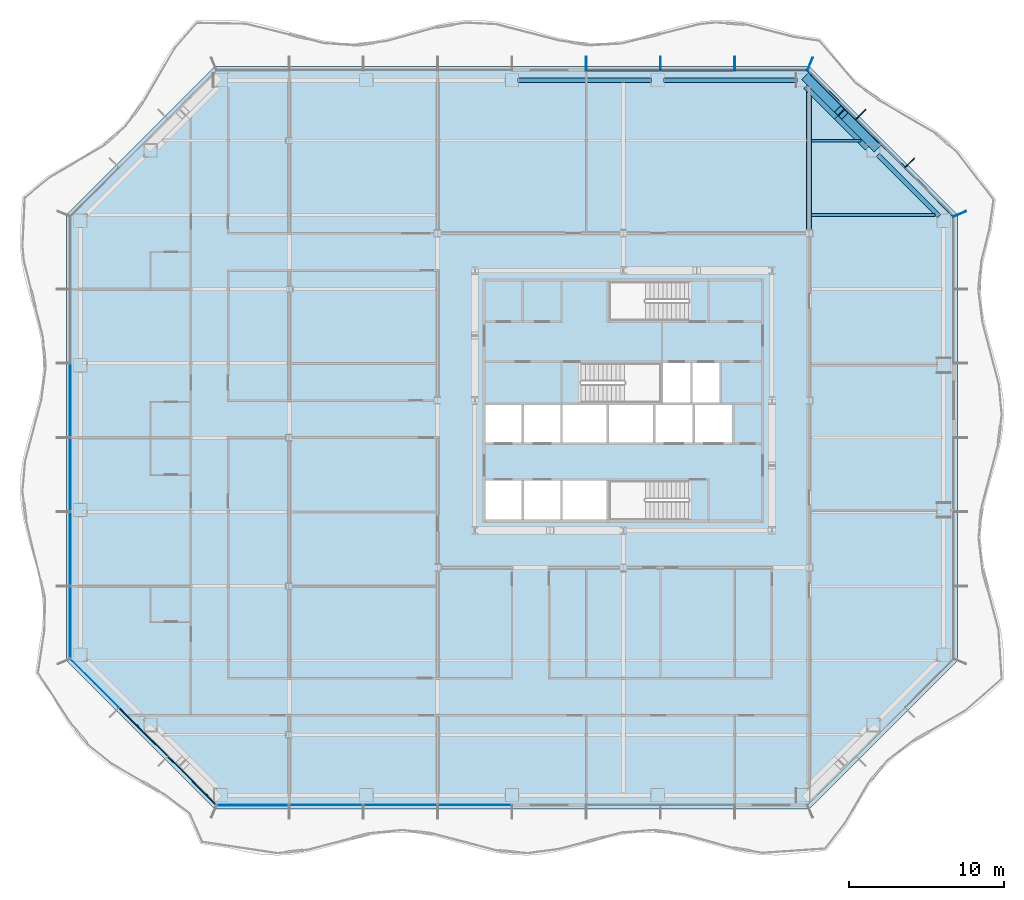
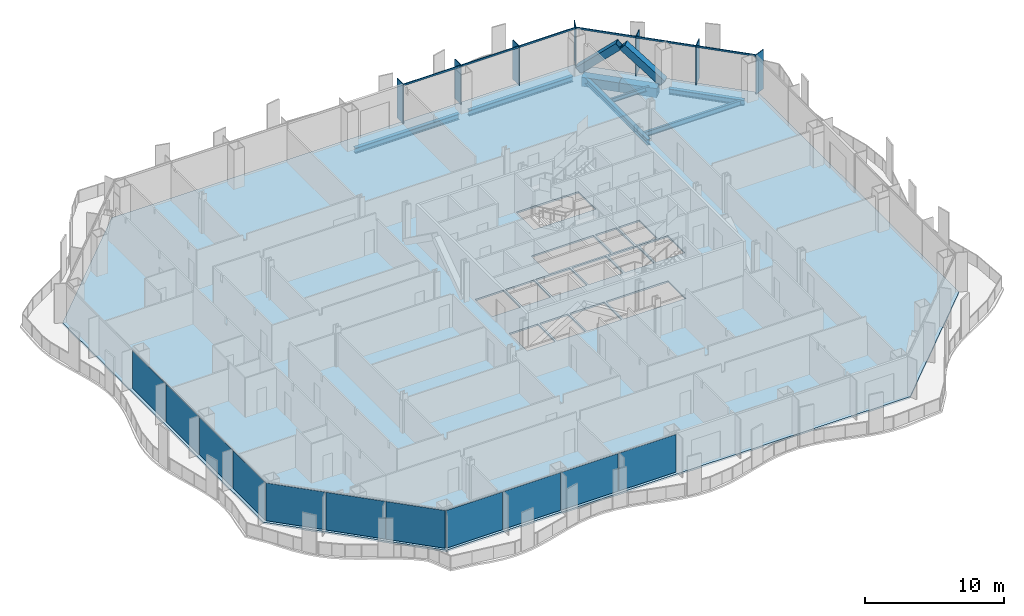
# One storey, part 4 of 18: 15 members, 11 plates, 8 beams, 1 slab, 5 elements without a shape of their own.
"""IFC4 building model written with IfcOpenShell, lengths in metres."""

from ifc_helpers import new_model, si_unit, direction, frame, origin, origin_2d, place, context, subcontext, project, spatial, polyline, rectangle, hollow_rectangle, i_section, outline, extrude, material, layer, layer_set, material_profile, profile_set, type_object, element, aggregate, save


model = new_model("IFC4")

# Units and contexts
model_context = context("Model", 3, precision=1e-05, world=origin(), true_north=direction((0.0, 1.0)))
body_context = subcontext(model_context, "Body", "Model", "MODEL_VIEW")
ifc_project = project(units=[si_unit("LENGTHUNIT", "METRE"), si_unit("AREAUNIT", "SQUARE_METRE"), si_unit("VOLUMEUNIT", "CUBIC_METRE"), si_unit("PLANEANGLEUNIT", "RADIAN"), si_unit("MASSUNIT", "GRAM", prefix="KILO")], contexts=[model_context])

# Site, building, storey
site_placement = place(None, origin())
site = spatial("IfcSite", under=ifc_project, at=site_placement, CompositionType="ELEMENT")
building_placement = place(site_placement, origin())
building = spatial("IfcBuilding", under=site, at=building_placement, Name="Cairn Pilgrim Tower", CompositionType="ELEMENT")
storey_placement = place(building_placement, frame((0.0, 0.0, 72.60009765625)))
storey = spatial("IfcBuildingStorey", under=building, at=storey_placement, Name="L16", CompositionType="ELEMENT", Elevation=72.60009765625)

# Members
ifc_material_1 = material(Name="Structural steel S460M", Category="steel")
ifc_material_profile_1 = material_profile(ifc_material_1, hollow_rectangle(XDim=0.60009765625, YDim=0.60009765625, WallThickness=0.034912109375, at=origin_2d()), Name="BOX 600x600x35")
ifc_profile_set_1 = profile_set([ifc_material_profile_1], Name="Structural steel S460M")
member_type_1 = type_object("IfcMemberType", Name="BOX 600x600x35 BRACE", PredefinedType="BRACE", material=ifc_profile_set_1)
for number, where, z_axis, x_axis, name in (
    (1, (23.4873046875, 18.814697265625, 0.14990234375), (-0.528939327604, 0.528877844478, 0.663710338426), (-0.70706568108, -0.707147878904, 0.0), "XB-NE2-N1-1"),
    (2, (19.078125, 23.2236328125, 0.14990234375), (0.52892212789, -0.52892212789, 0.663688756314), (0.707106781187, 0.707106781187, 0.0), "XB-NE2-N1-2"),
):
    element("IfcMember", number, at=place(storey_placement, frame(where, z_axis=z_axis, x_axis=x_axis)), inside=storey, type_object=member_type_1, Name=name, PredefinedType="BRACE", context=body_context, shape_type="SweptSolid", body=[
        extrude(hollow_rectangle(XDim=0.60009765625, YDim=0.60009765625, WallThickness=0.034912109375, at=origin_2d()), origin(), (0.0, 0.0, 1.0), 3.970947265625),
    ])

# Beams
ifc_material_2 = material(Name="Structural steel S355J2", Category="steel")
ifc_material_profile_2 = material_profile(ifc_material_2, hollow_rectangle(XDim=0.699951171875, YDim=0.800048828125, WallThickness=0.0400390625, at=origin_2d()), Name="BOX 700x800x40")
ifc_profile_set_2 = profile_set([ifc_material_profile_2], Name="Structural steel S355J2")
beam_type_1 = type_object("IfcBeamType", Name="BOX 700x800x40 RING GIRDER", PredefinedType="SPANDREL", material=ifc_profile_set_2)
beam_1_placement = place(storey_placement, frame((23.0771484375, 18.85009765625, -0.550048828125), z_axis=(-0.707106781187, 0.707106781187, 0.0), x_axis=(-0.707106781187, -0.707106781187, 0.0)))
element("IfcBeam", 3, at=beam_1_placement, inside=storey, type_object=beam_type_1, Name="RG1-NE2-N1-1", PredefinedType="SPANDREL", context=body_context, shape_type="SweptSolid", body=[
    extrude(hollow_rectangle(XDim=0.699951171875, YDim=0.800048828125, WallThickness=0.0400390625, at=origin_2d()), origin(), (0.0, 0.0, 1.0), 2.802490234375),
])
beam_2_placement = place(storey_placement, frame((21.095458984375, 20.831787109375, -0.550048828125), z_axis=(-0.707106781187, 0.707106781187, 0.0), x_axis=(-0.707106781187, -0.707106781187, 0.0)))
element("IfcBeam", 4, at=beam_2_placement, inside=storey, type_object=beam_type_1, Name="RG1-NE2-N1-2", PredefinedType="SPANDREL", context=body_context, shape_type="SweptSolid", body=[
    extrude(hollow_rectangle(XDim=0.699951171875, YDim=0.800048828125, WallThickness=0.0400390625, at=origin_2d()), origin(), (0.0, 0.0, 1.0), 2.802978515625),
])

# Curtain wall, members
ifc_material_3 = material(Name="Aluminium alloy 6063-T6 bronze anodised with Bronze tinted laminated low-E glass 8+16+8.8", Category="aluminium")
curtain_wall_type_1 = type_object("IfcCurtainWallType", Name="CHAMFER CORNER CURTAIN WALL", PredefinedType="NOTDEFINED", material=ifc_material_3)
curtain_wall_1_placement = place(storey_placement, origin())
curtain_wall_1 = element("IfcCurtainWall", 5, at=curtain_wall_1_placement, inside=storey, type_object=curtain_wall_type_1, Name="Chamfer Corner Curtain Wall NE", PredefinedType="NOTDEFINED")
ifc_material_4 = material(Name="Aluminium alloy 6063-T6 bronze anodised", Category="aluminium")
ifc_material_profile_3 = material_profile(ifc_material_4, rectangle(XDim=0.89990234375, YDim=0.06005859375, at=origin_2d()), Name="FIN MULLION 60x900 BRONZE")
ifc_profile_set_3 = profile_set([ifc_material_profile_3], Name="Aluminium alloy 6063-T6 bronze anodised")
member_type_2 = type_object("IfcMemberType", Name="FIN MULLION 60x900 BRONZE", PredefinedType="MULLION", material=ifc_profile_set_3)
member_1_placement = place(storey_placement, frame((28.93798828125, 14.457275390625, 0.0), z_axis=(0.0, 0.0, 1.0), x_axis=(0.923879532511, 0.382683432365, 0.0)))
member_1 = element("IfcMember", 6, at=member_1_placement, type_object=member_type_2, Name="Fin mullion NE1", PredefinedType="MULLION", context=body_context, shape_type="SweptSolid", body=[
    extrude(rectangle(XDim=0.89990234375, YDim=0.06005859375, at=origin_2d()), origin(), (0.0, 0.0, 1.0), 3.449951171875),
])
member_2_placement = place(storey_placement, frame((25.69580078125, 17.74462890625, 0.0), z_axis=(0.0, 0.0, 1.0), x_axis=(0.707106781187, 0.707106781187, 0.0)))
member_2 = element("IfcMember", 7, at=member_2_placement, type_object=member_type_2, Name="Fin mullion NE2", PredefinedType="MULLION", context=body_context, shape_type="SweptSolid", body=[
    extrude(rectangle(XDim=0.89990234375, YDim=0.06005859375, at=origin_2d()), origin(), (0.0, 0.0, 1.0), 3.449951171875),
])
member_3_placement = place(storey_placement, frame((22.544677734375, 20.895751953125, 0.0), z_axis=(0.0, 0.0, 1.0), x_axis=(0.707106781187, 0.707106781187, 0.0)))
member_3 = element("IfcMember", 8, at=member_3_placement, type_object=member_type_2, Name="Fin mullion NE3", PredefinedType="MULLION", context=body_context, shape_type="SweptSolid", body=[
    extrude(rectangle(XDim=0.89990234375, YDim=0.06005859375, at=origin_2d()), origin(), (0.0, 0.0, 1.0), 3.449951171875),
])

curtain_wall_type_2 = type_object("IfcCurtainWallType", Name="TOWER STICK CURTAIN WALL NS", PredefinedType="NOTDEFINED", material=ifc_material_3)
curtain_wall_2_placement = place(storey_placement, origin())
curtain_wall_2 = element("IfcCurtainWall", 9, at=curtain_wall_2_placement, inside=storey, type_object=curtain_wall_type_2, Name="Tower Stick Curtain Wall Ns N", PredefinedType="NOTDEFINED")
member_4_placement = place(storey_placement, frame((19.257080078125, 24.137939453125, 0.0), z_axis=(0.0, 0.0, 1.0), x_axis=(0.382683432365, 0.923879532511, 0.0)))
member_4 = element("IfcMember", 10, at=member_4_placement, type_object=member_type_2, Name="Fin mullion N1", PredefinedType="MULLION", context=body_context, shape_type="SweptSolid", body=[
    extrude(rectangle(XDim=0.89990234375, YDim=0.06005859375, at=origin_2d()), origin(), (0.0, 0.0, 1.0), 3.449951171875),
])
member_5_placement = place(storey_placement, frame((14.39990234375, 24.169921875, 0.0), z_axis=(0.0, 0.0, 1.0), x_axis=(0.0, 1.0, 0.0)))
member_5 = element("IfcMember", 11, at=member_5_placement, type_object=member_type_2, Name="Fin mullion N2", PredefinedType="MULLION", context=body_context, shape_type="SweptSolid", body=[
    extrude(rectangle(XDim=0.89990234375, YDim=0.06005859375, at=origin_2d()), origin(), (0.0, 0.0, 1.0), 3.449951171875),
])
member_6_placement = place(storey_placement, frame((9.60009765625, 24.169921875, 0.0), z_axis=(0.0, 0.0, 1.0), x_axis=(0.0, 1.0, 0.0)))
member_6 = element("IfcMember", 12, at=member_6_placement, type_object=member_type_2, Name="Fin mullion N3", PredefinedType="MULLION", context=body_context, shape_type="SweptSolid", body=[
    extrude(rectangle(XDim=0.89990234375, YDim=0.06005859375, at=origin_2d()), origin(), (0.0, 0.0, 1.0), 3.449951171875),
])
member_7_placement = place(storey_placement, frame((4.800048828125, 24.169921875, 0.0), z_axis=(0.0, 0.0, 1.0), x_axis=(0.0, 1.0, 0.0)))
member_7 = element("IfcMember", 13, at=member_7_placement, type_object=member_type_2, Name="Fin mullion N4", PredefinedType="MULLION", context=body_context, shape_type="SweptSolid", body=[
    extrude(rectangle(XDim=0.89990234375, YDim=0.06005859375, at=origin_2d()), origin(), (0.0, 0.0, 1.0), 3.449951171875),
])

# Beams
ifc_material_profile_4 = material_profile(ifc_material_2, i_section(OverallWidth=0.300048828125, OverallDepth=0.5, WebThickness=0.014404296875, FlangeThickness=0.028076171875, FilletRadius=0.027099609375, at=origin_2d()), Name="HEB 500")
ifc_profile_set_4 = profile_set([ifc_material_profile_4], Name="Structural steel S355J2")
beam_type_2 = type_object("IfcBeamType", Name="HEB 500 GIRDER", PredefinedType="BEAM", material=ifc_profile_set_4)
beam_3_placement = place(storey_placement, frame((19.199951171875, 13.412109375, -0.400146484375), z_axis=(0.0, 1.0, 0.0), x_axis=(-1.0, 0.0, 0.0)))
element("IfcBeam", 14, at=beam_3_placement, inside=storey, type_object=beam_type_2, Name="PG4-4", PredefinedType="BEAM", context=body_context, shape_type="SweptSolid", body=[
    extrude(i_section(OverallWidth=0.300048828125, OverallDepth=0.5, WebThickness=0.014404296875, FlangeThickness=0.028076171875, FilletRadius=0.027099609375, at=origin_2d()), origin(), (0.0, 0.0, 1.0), 9.133056640625),
])
ifc_material_profile_5 = material_profile(ifc_material_2, i_section(OverallWidth=0.300048828125, OverallDepth=0.5, WebThickness=0.014404296875, FlangeThickness=0.028076171875, FilletRadius=0.027099609375, at=origin_2d()), Name="HEB 500")
ifc_profile_set_5 = profile_set([ifc_material_profile_5], Name="Structural steel S355J2")
beam_type_3 = type_object("IfcBeamType", Name="HEB 500 RING GIRDER", PredefinedType="SPANDREL", material=ifc_profile_set_5)
beam_4_placement = place(storey_placement, frame((27.613525390625, 14.313720703125, -0.400146484375), z_axis=(-0.707128558756, 0.707085002947, 0.0), x_axis=(-0.707085002947, -0.707128558756, 0.0)))
element("IfcBeam", 15, at=beam_4_placement, inside=storey, type_object=beam_type_3, Name="RG1-NE1-NE2", PredefinedType="SPANDREL", context=body_context, shape_type="SweptSolid", body=[
    extrude(i_section(OverallWidth=0.300048828125, OverallDepth=0.5, WebThickness=0.014404296875, FlangeThickness=0.028076171875, FilletRadius=0.027099609375, at=origin_2d()), origin(), (0.0, 0.0, 1.0), 5.605224609375),
])
for number, where, z_axis, x_axis, name in (
    (16, (18.422119140625, 23.10009765625, -0.400146484375), (-1.0, 0.0, 0.0), (0.0, -1.0, 0.0), "RG1-N1-N2"),
    (17, (9.008544921875, 23.10009765625, -0.400146484375), (-1.0, 0.0, 0.0), (0.0, -1.0, 0.0), "RG1-N2-N3"),
):
    element("IfcBeam", number, at=place(storey_placement, frame(where, z_axis=z_axis, x_axis=x_axis)), inside=storey, type_object=beam_type_3, Name=name, PredefinedType="SPANDREL", context=body_context, shape_type="SweptSolid", body=[
        extrude(i_section(OverallWidth=0.300048828125, OverallDepth=0.5, WebThickness=0.014404296875, FlangeThickness=0.028076171875, FilletRadius=0.027099609375, at=origin_2d()), origin(), (0.0, 0.0, 1.0), 8.603515625),
    ])
ifc_material_profile_6 = material_profile(ifc_material_2, i_section(OverallWidth=0.169921875, OverallDepth=0.360107421875, WebThickness=0.008056640625, FlangeThickness=0.0126953125, FilletRadius=0.01806640625, at=origin_2d()), Name="IPE 360")
ifc_profile_set_6 = profile_set([ifc_material_profile_6], Name="Structural steel S355J2")
beam_type_4 = type_object("IfcBeamType", Name="IPE 360 SECONDARY BEAM", PredefinedType="JOIST", material=ifc_profile_set_6)
beam_5_placement = place(storey_placement, frame((19.35009765625, 19.199951171875, -0.330078125), z_axis=(1.0, 0.0, 0.0), x_axis=(0.0, 1.0, 0.0)))
element("IfcBeam", 18, at=beam_5_placement, inside=storey, type_object=beam_type_4, Name="SB9-5", PredefinedType="JOIST", context=body_context, shape_type="SweptSolid", body=[
    extrude(i_section(OverallWidth=0.169921875, OverallDepth=0.360107421875, WebThickness=0.008056640625, FlangeThickness=0.0126953125, FilletRadius=0.01806640625, at=origin_2d()), origin(), (0.0, 0.0, 1.0), 3.195068359375),
])
ifc_material_profile_7 = material_profile(ifc_material_2, i_section(OverallWidth=0.18994140625, OverallDepth=0.449951171875, WebThickness=0.009521484375, FlangeThickness=0.0146484375, FilletRadius=0.02099609375, at=origin_2d()), Name="IPE 450")
ifc_profile_set_7 = profile_set([ifc_material_profile_7], Name="Structural steel S355J2")
beam_type_5 = type_object("IfcBeamType", Name="IPE 450 SECONDARY BEAM", PredefinedType="JOIST", material=ifc_profile_set_7)
beam_6_placement = place(storey_placement, frame((19.35009765625, 14.39990234375, -0.375), z_axis=(1.0, 0.0, 0.0), x_axis=(0.0, 1.0, 0.0)))
element("IfcBeam", 19, at=beam_6_placement, inside=storey, type_object=beam_type_5, Name="SB8-3", PredefinedType="JOIST", context=body_context, shape_type="SweptSolid", body=[
    extrude(i_section(OverallWidth=0.18994140625, OverallDepth=0.449951171875, WebThickness=0.009521484375, FlangeThickness=0.0146484375, FilletRadius=0.02099609375, at=origin_2d()), origin(), (0.0, 0.0, 1.0), 7.9951171875),
])

# Member
ifc_material_profile_8 = material_profile(ifc_material_4, rectangle(XDim=0.080078125, YDim=0.14990234375, at=origin_2d()), Name="TRANSOM 80x150 BRONZE")
ifc_profile_set_8 = profile_set([ifc_material_profile_8], Name="Aluminium alloy 6063-T6 bronze anodised")
member_type_3 = type_object("IfcMemberType", Name="TRANSOM 80x150 BRONZE", PredefinedType="USERDEFINED", material=ifc_profile_set_8)
member_8_placement = place(storey_placement, frame((28.521728515625, 14.32470703125, 3.375), z_axis=(-0.707106781187, 0.707106781187, 0.0), x_axis=(-0.707106781187, -0.707106781187, 0.0)))
member_8 = element("IfcMember", 20, at=member_8_placement, type_object=member_type_3, Name="Transom NE1", ObjectType="TRANSOM", PredefinedType="USERDEFINED", context=body_context, shape_type="SweptSolid", body=[
    extrude(rectangle(XDim=0.080078125, YDim=0.14990234375, at=origin_2d()), origin(), (0.0, 0.0, 1.0), 4.38671875),
])

member_9_placement = place(storey_placement, frame((25.377685546875, 17.46875, 3.375), z_axis=(-0.707106781187, 0.707106781187, 0.0), x_axis=(-0.707106781187, -0.707106781187, 0.0)))
member_9 = element("IfcMember", 21, at=member_9_placement, type_object=member_type_3, Name="Transom NE2", ObjectType="TRANSOM", PredefinedType="USERDEFINED", context=body_context, shape_type="SweptSolid", body=[
    extrude(rectangle(XDim=0.080078125, YDim=0.14990234375, at=origin_2d()), origin(), (0.0, 0.0, 1.0), 4.396728515625),
])

member_10_placement = place(storey_placement, frame((22.226318359375, 20.6201171875, 3.375), z_axis=(-0.707106781187, 0.707106781187, 0.0), x_axis=(-0.707106781187, -0.707106781187, 0.0)))
member_10 = element("IfcMember", 22, at=member_10_placement, type_object=member_type_3, Name="Transom NE3", ObjectType="TRANSOM", PredefinedType="USERDEFINED", context=body_context, shape_type="SweptSolid", body=[
    extrude(rectangle(XDim=0.080078125, YDim=0.14990234375, at=origin_2d()), origin(), (0.0, 0.0, 1.0), 4.38623046875),
])

aggregate(curtain_wall_1, [member_1, member_2, member_3, member_8, member_9, member_10])

member_11_placement = place(storey_placement, frame((19.056396484375, 23.75, 3.375), z_axis=(-1.0, 0.0, 0.0), x_axis=(0.0, -1.0, 0.0)))
member_11 = element("IfcMember", 23, at=member_11_placement, type_object=member_type_3, Name="Transom N1", ObjectType="TRANSOM", PredefinedType="USERDEFINED", context=body_context, shape_type="SweptSolid", body=[
    extrude(rectangle(XDim=0.080078125, YDim=0.14990234375, at=origin_2d()), origin(), (0.0, 0.0, 1.0), 4.62646484375),
])

member_12_placement = place(storey_placement, frame((14.3701171875, 23.75, 3.375), z_axis=(-1.0, 0.0, 0.0), x_axis=(0.0, -1.0, 0.0)))
member_12 = element("IfcMember", 24, at=member_12_placement, type_object=member_type_3, Name="Transom N2", ObjectType="TRANSOM", PredefinedType="USERDEFINED", context=body_context, shape_type="SweptSolid", body=[
    extrude(rectangle(XDim=0.080078125, YDim=0.14990234375, at=origin_2d()), origin(), (0.0, 0.0, 1.0), 4.740234375),
])

member_13_placement = place(storey_placement, frame((9.570068359375, 23.75, 3.375), z_axis=(-1.0, 0.0, 0.0), x_axis=(0.0, -1.0, 0.0)))
member_13 = element("IfcMember", 25, at=member_13_placement, type_object=member_type_3, Name="Transom N3", ObjectType="TRANSOM", PredefinedType="USERDEFINED", context=body_context, shape_type="SweptSolid", body=[
    extrude(rectangle(XDim=0.080078125, YDim=0.14990234375, at=origin_2d()), origin(), (0.0, 0.0, 1.0), 4.739990234375),
])

aggregate(curtain_wall_2, [member_4, member_5, member_6, member_7, member_11, member_12, member_13])

# Slab
ifc_material_5 = material(Name="Concrete C35/45", Category="concrete")
ifc_layer_1 = layer(ifc_material_5, 0.14990234375)
ifc_layer_set_1 = layer_set([ifc_layer_1], Name="COMPOSITE FLOOR SLAB 150")
slab_type = type_object("IfcSlabType", Name="COMPOSITE FLOOR SLAB 150", PredefinedType="FLOOR", material=ifc_layer_set_1)
slab_placement = place(storey_placement, frame((0.0, 0.0, -0.150146484375)))
element("IfcSlab", 26, at=slab_placement, inside=storey, type_object=slab_type, Name="FLOOR SLAB L16", PredefinedType="FLOOR", context=body_context, shape_type="SweptSolid", body=[
    extrude(outline(polyline([(-19.199951171875, -24.0), (19.199951171875, -24.0), (28.800048828125, -14.39990234375), (28.800048828125, 14.39990234375), (19.199951171875, 24.0), (-19.199951171875, 24.0), (-28.800048828125, 14.39990234375), (-28.800048828125, -14.39990234375), (-19.199951171875, -24.0)]), holes=[polyline([(-1.72509765625, -5.300048828125), (0.625, -5.300048828125), (0.625, -2.77490234375), (-1.72509765625, -2.77490234375), (-1.72509765625, -5.300048828125)]), polyline([(0.77490234375, -5.300048828125), (3.125, -5.300048828125), (3.125, -2.77490234375), (0.77490234375, -2.77490234375), (0.77490234375, -5.300048828125)]), polyline([(-1.72509765625, -0.324951171875), (0.625, -0.324951171875), (0.625, 2.125), (-1.72509765625, 2.125), (-1.72509765625, -0.324951171875)]), polyline([(0.77490234375, -0.324951171875), (3.125, -0.324951171875), (3.125, 2.125), (0.77490234375, 2.125), (0.77490234375, -0.324951171875)]), polyline([(3.27490234375, -5.300048828125), (6.125, -5.300048828125), (6.125, -2.77490234375), (3.27490234375, -2.77490234375), (3.27490234375, -5.300048828125)]), polyline([(3.27490234375, -0.324951171875), (6.125, -0.324951171875), (6.125, 2.125), (3.27490234375, 2.125), (3.27490234375, -0.324951171875)]), polyline([(6.27490234375, -0.324951171875), (9.125, -0.324951171875), (9.125, 2.125), (6.27490234375, 2.125), (6.27490234375, -0.324951171875)]), polyline([(9.27490234375, -0.324951171875), (11.675048828125, -0.324951171875), (11.675048828125, 2.125), (9.27490234375, 2.125), (9.27490234375, -0.324951171875)]), polyline([(11.824951171875, -0.324951171875), (14.22509765625, -0.324951171875), (14.22509765625, 2.125), (11.824951171875, 2.125), (11.824951171875, -0.324951171875)]), polyline([(9.77490234375, 2.27490234375), (11.52490234375, 2.27490234375), (11.52490234375, 4.824951171875), (9.77490234375, 4.824951171875), (9.77490234375, 2.27490234375)]), polyline([(11.675048828125, 2.27490234375), (13.425048828125, 2.27490234375), (13.425048828125, 4.824951171875), (11.675048828125, 4.824951171875), (11.675048828125, 2.27490234375)]), polyline([(11.424560546875, -2.77490234375), (6.27490234375, -2.77490234375), (6.27490234375, -5.300048828125), (11.424560546875, -5.300048828125), (11.424560546875, -2.77490234375)]), polyline([(4.4755859375, 2.27490234375), (9.625, 2.27490234375), (9.625, 4.824951171875), (4.4755859375, 4.824951171875), (4.4755859375, 2.27490234375)]), polyline([(11.424560546875, 10.10009765625), (6.27490234375, 10.10009765625), (6.27490234375, 7.574951171875), (11.424560546875, 7.574951171875), (11.424560546875, 10.10009765625)])]), origin(), (0.0, 0.0, 1.0), 0.150146484375),
])

# Curtain wall, plates
curtain_wall_3_placement = place(storey_placement, origin())
curtain_wall_3 = element("IfcCurtainWall", 27, at=curtain_wall_3_placement, inside=storey, type_object=curtain_wall_type_1, Name="Chamfer Corner Curtain Wall SW", PredefinedType="NOTDEFINED")
ifc_material_6 = material(Name="Bronze anodised aluminium spandrel panel with mineral wool insulation", Category="aluminium")
ifc_layer_2 = layer(ifc_material_6, 0.06005859375)
ifc_layer_set_2 = layer_set([ifc_layer_2], Name="SPANDREL PANEL 4386x3300")
plate_type_1 = type_object("IfcPlateType", Name="SPANDREL PANEL 4386x3300", PredefinedType="CURTAIN_PANEL", material=ifc_layer_set_2)
plate_1_placement = place(storey_placement, frame((-20.675537109375, -22.1708984375, 0.0), z_axis=(0.0, 0.0, 1.0), x_axis=(0.707106781187, -0.707106781187, 0.0)))
plate_1 = element("IfcPlate", 28, at=plate_1_placement, type_object=plate_type_1, Name="Spandrel Panel SW3-1", PredefinedType="CURTAIN_PANEL", context=body_context, shape_type="SweptSolid", body=[
    extrude(rectangle(XDim=4.386474609375, YDim=0.06005859375, at=origin_2d()), origin(), (0.0, 0.0, 1.0), 3.300048828125),
])
ifc_layer_3 = layer(ifc_material_6, 0.06005859375)
ifc_layer_set_3 = layer_set([ifc_layer_3], Name="SPANDREL PANEL 4396x3300")
plate_type_2 = type_object("IfcPlateType", Name="SPANDREL PANEL 4396x3300", PredefinedType="CURTAIN_PANEL", material=ifc_layer_set_3)
plate_2_placement = place(storey_placement, frame((-23.8232421875, -19.023193359375, 0.0), z_axis=(0.0, 0.0, 1.0), x_axis=(0.707106781187, -0.707106781187, 0.0)))
plate_2 = element("IfcPlate", 29, at=plate_2_placement, type_object=plate_type_2, Name="Spandrel Panel SW2-1", PredefinedType="CURTAIN_PANEL", context=body_context, shape_type="SweptSolid", body=[
    extrude(rectangle(XDim=4.396484375, YDim=0.06005859375, at=origin_2d()), origin(), (0.0, 0.0, 1.0), 3.300048828125),
])

# Curtain wall, plate
curtain_wall_4_placement = place(storey_placement, origin())
curtain_wall_4 = element("IfcCurtainWall", 30, at=curtain_wall_4_placement, inside=storey, type_object=curtain_wall_type_2, Name="Tower Stick Curtain Wall Ns S", PredefinedType="NOTDEFINED")
ifc_layer_4 = layer(ifc_material_6, 0.06005859375)
ifc_layer_set_4 = layer_set([ifc_layer_4], Name="SPANDREL PANEL 4626x3300")
plate_type_3 = type_object("IfcPlateType", Name="SPANDREL PANEL 4626x3300", PredefinedType="CURTAIN_PANEL", material=ifc_layer_set_4)
plate_3_placement = place(storey_placement, frame((-16.7431640625, -23.75, 0.0), z_axis=(0.0, 0.0, 1.0), x_axis=(1.0, 0.0, 0.0)))
plate_3 = element("IfcPlate", 31, at=plate_3_placement, type_object=plate_type_3, Name="Spandrel Panel S1-1", PredefinedType="CURTAIN_PANEL", context=body_context, shape_type="SweptSolid", body=[
    extrude(rectangle(XDim=4.62646484375, YDim=0.06005859375, at=origin_2d()), origin(), (0.0, 0.0, 1.0), 3.300048828125),
])

# Plate
ifc_material_7 = material(Name="Bronze tinted laminated low-E glass 8+16+8.8", Category="glass")
ifc_layer_5 = layer(ifc_material_7, 0.033935546875)
ifc_layer_set_5 = layer_set([ifc_layer_5], Name="VISION GLAZING 4386x3300")
plate_type_4 = type_object("IfcPlateType", Name="VISION GLAZING 4386x3300", PredefinedType="CURTAIN_PANEL", material=ifc_layer_set_5)
plate_4_placement = place(storey_placement, frame((-26.970947265625, -15.87548828125, 0.0), z_axis=(0.0, 0.0, 1.0), x_axis=(0.707106781187, -0.707106781187, 0.0)))
plate_4 = element("IfcPlate", 32, at=plate_4_placement, type_object=plate_type_4, Name="Vision Glazing SW1-1", PredefinedType="CURTAIN_PANEL", context=body_context, shape_type="SweptSolid", body=[
    extrude(rectangle(XDim=4.386474609375, YDim=0.033935546875, at=origin_2d()), origin(), (0.0, 0.0, 1.0), 3.300048828125),
])

aggregate(curtain_wall_3, [plate_4, plate_2, plate_1])

# Curtain wall, plate
curtain_wall_type_3 = type_object("IfcCurtainWallType", Name="TOWER STICK CURTAIN WALL EW", PredefinedType="NOTDEFINED", material=ifc_material_3)
curtain_wall_5_placement = place(storey_placement, origin())
curtain_wall_5 = element("IfcCurtainWall", 33, at=curtain_wall_5_placement, inside=storey, type_object=curtain_wall_type_3, Name="Tower Stick Curtain Wall Ew W", PredefinedType="NOTDEFINED")
ifc_layer_6 = layer(ifc_material_7, 0.033935546875)
ifc_layer_set_6 = layer_set([ifc_layer_6], Name="VISION GLAZING 4626x3300")
plate_type_5 = type_object("IfcPlateType", Name="VISION GLAZING 4626x3300", PredefinedType="CURTAIN_PANEL", material=ifc_layer_set_6)
plate_5_placement = place(storey_placement, frame((-28.550048828125, -11.943115234375, 0.0), z_axis=(0.0, 0.0, 1.0), x_axis=(0.0, -1.0, 0.0)))
plate_5 = element("IfcPlate", 34, at=plate_5_placement, type_object=plate_type_5, Name="Vision Glazing W6-1", PredefinedType="CURTAIN_PANEL", context=body_context, shape_type="SweptSolid", body=[
    extrude(rectangle(XDim=4.62646484375, YDim=0.033935546875, at=origin_2d()), origin(), (0.0, 0.0, 1.0), 3.300048828125),
])

# Plate
ifc_layer_7 = layer(ifc_material_7, 0.033935546875)
ifc_layer_set_7 = layer_set([ifc_layer_7], Name="VISION GLAZING 4740x3300")
plate_type_6 = type_object("IfcPlateType", Name="VISION GLAZING 4740x3300", PredefinedType="CURTAIN_PANEL", material=ifc_layer_set_7)
plate_6_placement = place(storey_placement, frame((-12.0, -23.75, 0.0), z_axis=(0.0, 0.0, 1.0), x_axis=(1.0, 0.0, 0.0)))
plate_6 = element("IfcPlate", 35, at=plate_6_placement, type_object=plate_type_6, Name="Vision Glazing S2-1", PredefinedType="CURTAIN_PANEL", context=body_context, shape_type="SweptSolid", body=[
    extrude(rectangle(XDim=4.739990234375, YDim=0.033935546875, at=origin_2d()), origin(), (0.0, 0.0, 1.0), 3.300048828125),
])

plate_7_placement = place(storey_placement, frame((-7.199951171875, -23.75, 0.0), z_axis=(0.0, 0.0, 1.0), x_axis=(1.0, 0.0, 0.0)))
plate_7 = element("IfcPlate", 36, at=plate_7_placement, type_object=plate_type_6, Name="Vision Glazing S3-1", PredefinedType="CURTAIN_PANEL", context=body_context, shape_type="SweptSolid", body=[
    extrude(rectangle(XDim=4.739990234375, YDim=0.033935546875, at=origin_2d()), origin(), (0.0, 0.0, 1.0), 3.300048828125),
])

plate_8_placement = place(storey_placement, frame((-2.39990234375, -23.75, 0.0), z_axis=(0.0, 0.0, 1.0), x_axis=(1.0, 0.0, 0.0)))
plate_8 = element("IfcPlate", 37, at=plate_8_placement, type_object=plate_type_6, Name="Vision Glazing S4-1", PredefinedType="CURTAIN_PANEL", context=body_context, shape_type="SweptSolid", body=[
    extrude(rectangle(XDim=4.739990234375, YDim=0.033935546875, at=origin_2d()), origin(), (0.0, 0.0, 1.0), 3.300048828125),
])

aggregate(curtain_wall_4, [plate_3, plate_6, plate_7, plate_8])

plate_9_placement = place(storey_placement, frame((-28.550048828125, 2.39990234375, 0.0), z_axis=(0.0, 0.0, 1.0), x_axis=(0.0, -1.0, 0.0)))
plate_9 = element("IfcPlate", 38, at=plate_9_placement, type_object=plate_type_6, Name="Vision Glazing W3-1", PredefinedType="CURTAIN_PANEL", context=body_context, shape_type="SweptSolid", body=[
    extrude(rectangle(XDim=4.739990234375, YDim=0.033935546875, at=origin_2d()), origin(), (0.0, 0.0, 1.0), 3.300048828125),
])

plate_10_placement = place(storey_placement, frame((-28.550048828125, -2.39990234375, 0.0), z_axis=(0.0, 0.0, 1.0), x_axis=(0.0, -1.0, 0.0)))
plate_10 = element("IfcPlate", 39, at=plate_10_placement, type_object=plate_type_6, Name="Vision Glazing W4-1", PredefinedType="CURTAIN_PANEL", context=body_context, shape_type="SweptSolid", body=[
    extrude(rectangle(XDim=4.739990234375, YDim=0.033935546875, at=origin_2d()), origin(), (0.0, 0.0, 1.0), 3.300048828125),
])

plate_11_placement = place(storey_placement, frame((-28.550048828125, -7.199951171875, 0.0), z_axis=(0.0, 0.0, 1.0), x_axis=(0.0, -1.0, 0.0)))
plate_11 = element("IfcPlate", 40, at=plate_11_placement, type_object=plate_type_6, Name="Vision Glazing W5-1", PredefinedType="CURTAIN_PANEL", context=body_context, shape_type="SweptSolid", body=[
    extrude(rectangle(XDim=4.739990234375, YDim=0.033935546875, at=origin_2d()), origin(), (0.0, 0.0, 1.0), 3.300048828125),
])

aggregate(curtain_wall_5, [plate_9, plate_10, plate_11, plate_5])

save(model, "model.ifc")
